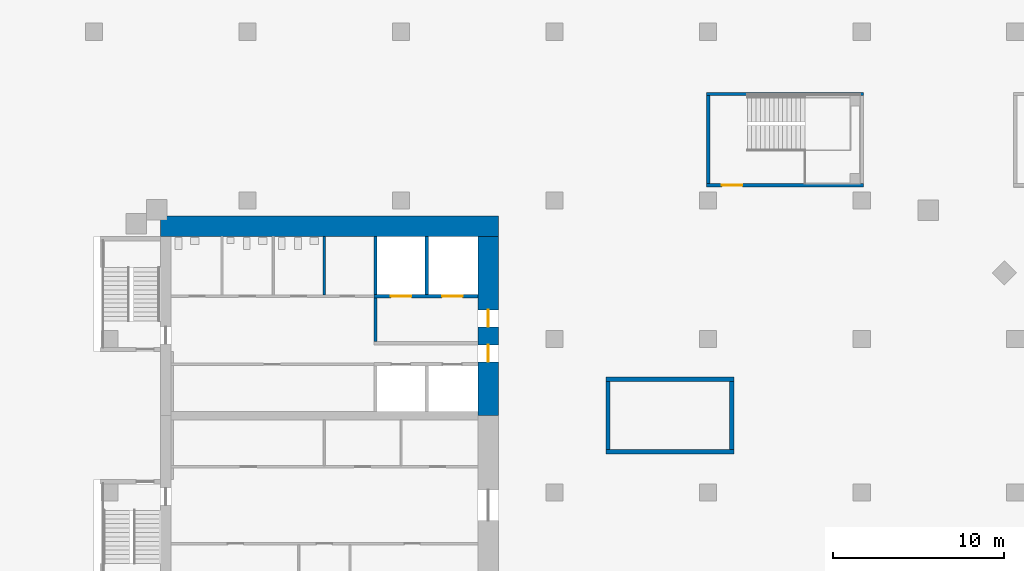
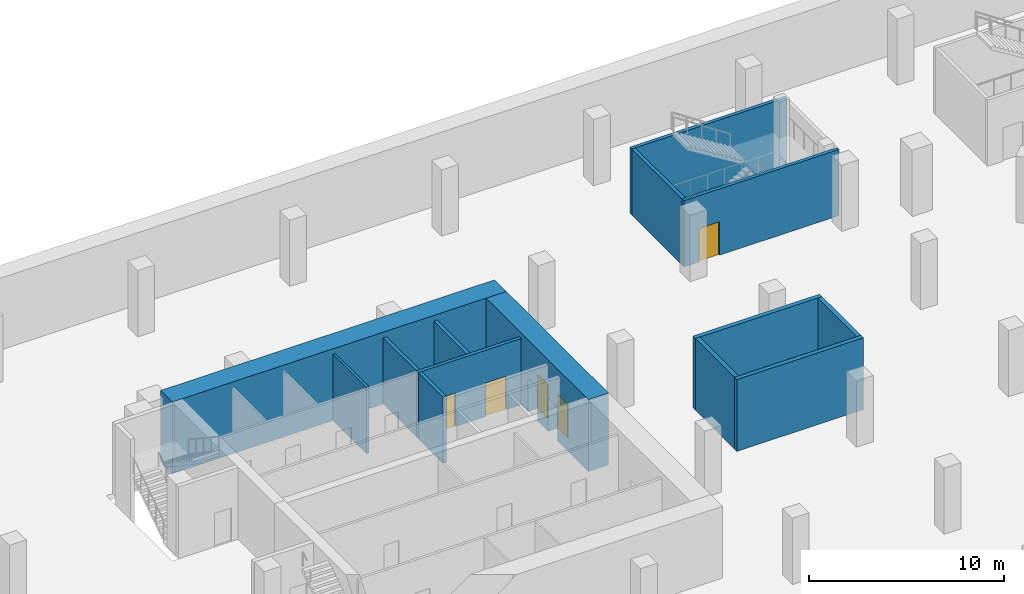
# One storey, part 8 of 16: 14 walls, 5 doors, 5 openings.
"""IFC4 building model written with IfcOpenShell, lengths in metres."""

from ifc_helpers import new_model, si_unit, direction, frame, frame_2d, origin, place, context, subcontext, project, spatial, rectangle, extrude, material, layer, layer_set, type_object, element, fill, save


model = new_model("IFC4")

# Units and contexts
model_context = context("Model", 3, precision=1e-05, world=origin(), true_north=direction((0.0, 1.0)))
body_context = subcontext(model_context, "Body", "Model", "MODEL_VIEW")
ifc_project = project(units=[si_unit("LENGTHUNIT", "METRE"), si_unit("AREAUNIT", "SQUARE_METRE"), si_unit("VOLUMEUNIT", "CUBIC_METRE"), si_unit("PLANEANGLEUNIT", "RADIAN"), si_unit("MASSUNIT", "GRAM", prefix="KILO")], contexts=[model_context])

# Site, building, storey
site_placement = place(None, origin())
site = spatial("IfcSite", under=ifc_project, at=site_placement, CompositionType="ELEMENT")
building_placement = place(site_placement, origin())
building = spatial("IfcBuilding", under=site, at=building_placement, Name="Cinnabar Reach Civic Tower", CompositionType="ELEMENT")
storey_placement = place(building_placement, frame((0.0, 0.0, -9.5)))
storey = spatial("IfcBuildingStorey", under=building, at=storey_placement, Name="B2", CompositionType="ELEMENT", Elevation=-9.5)

# Wall
ifc_material_1 = material(Name="Concrete C70", Category="concrete")
ifc_layer_1 = layer(ifc_material_1, 1.2)
ifc_layer_set_1 = layer_set([ifc_layer_1], Name="Core wall 1200 EI 180")
wall_type_1 = type_object("IfcWallType", Name="Core wall 1200 EI 180", PredefinedType="SOLIDWALL", material=ifc_layer_set_1)
wall_1_placement = place(storey_placement, frame((23.7, 42.6, 0.0), z_axis=(0.0, 0.0, 1.0), x_axis=(-1.0, 0.0, 0.0)))
element("IfcWall", 1, at=wall_1_placement, inside=storey, type_object=wall_type_1, Name="Core wall T1 B2 N", PredefinedType="SOLIDWALL", context=body_context, shape_type="SweptSolid", body=[
    extrude(rectangle(XDim=19.8, YDim=1.2, at=frame_2d((9.9, 0.0))), origin(), (0.0, 0.0, 1.0), 4.5),
])

# Wall, openings, doors
wall_2_placement = place(storey_placement, frame((23.1, 31.5, 0.0), z_axis=(0.0, 0.0, 1.0), x_axis=(0.0, 1.0, 0.0)))
wall_2 = element("IfcWall", 2, at=wall_2_placement, inside=storey, type_object=wall_type_1, Name="Core wall T1 B2 E2", PredefinedType="SOLIDWALL", context=body_context, shape_type="SweptSolid", body=[
    extrude(rectangle(XDim=10.5, YDim=1.2, at=frame_2d((5.25, 0.0))), origin(), (0.0, 0.0, 1.0), 4.5),
])
opening_1_placement = place(wall_2_placement, frame((3.15, 0.0, 0.0)))
opening_1 = element("IfcOpeningElement", 3, at=opening_1_placement, cuts=wall_2, Name="Opening D3027", PredefinedType="OPENING", context=body_context, shape_type="SweptSolid", body=[
    extrude(rectangle(XDim=1.0, YDim=2.1, at=frame_2d((0.5, 1.05))), frame((0.0, 0.61, 0.0), z_axis=(0.0, -1.0, 0.0), x_axis=(1.0, 0.0, 0.0)), (0.0, 0.0, 1.0), 1.22),
])
opening_2_placement = place(wall_2_placement, frame((5.2, 0.0, 0.0)))
opening_2 = element("IfcOpeningElement", 4, at=opening_2_placement, cuts=wall_2, Name="Opening D3028", PredefinedType="OPENING", context=body_context, shape_type="SweptSolid", body=[
    extrude(rectangle(XDim=1.0, YDim=2.1, at=frame_2d((0.5, 1.05))), frame((0.0, 0.61, 0.0), z_axis=(0.0, -1.0, 0.0), x_axis=(1.0, 0.0, 0.0)), (0.0, 0.0, 1.0), 1.22),
])
ifc_material_2 = material(Name="Timber door leaf in steel frame", Category="steel")
door_type_1 = type_object("IfcDoorType", Name="Firefighting lobby door 1000 x 2100 T1", OperationType="SINGLE_SWING_LEFT", PredefinedType="DOOR", material=ifc_material_2)
door_1_placement = place(opening_2_placement, frame((1.0, 0.0, 0.0), z_axis=(0.0, 0.0, 1.0), x_axis=(-1.0, 0.0, 0.0)))
door_1 = element("IfcDoor", 5, at=door_1_placement, inside=storey, type_object=door_type_1, Name="Door D3028", OperationType="SINGLE_SWING_RIGHT", OverallHeight=2.1, OverallWidth=1.0, PredefinedType="DOOR", context=body_context, shape_type="SweptSolid", body=[
    extrude(rectangle(XDim=1.0, YDim=2.1, at=frame_2d((0.5, 1.05))), frame((0.0, 0.025, 0.0), z_axis=(0.0, -1.0, 0.0), x_axis=(1.0, 0.0, 0.0)), (0.0, 0.0, 1.0), 0.05),
])
fill(opening_2, door_1)
door_type_2 = type_object("IfcDoorType", Name="Single swing door 1000 x 2100 T1", OperationType="SINGLE_SWING_LEFT", PredefinedType="DOOR", material=ifc_material_2)
door_2_placement = place(opening_1_placement, frame((1.0, 0.0, 0.0), z_axis=(0.0, 0.0, 1.0), x_axis=(-1.0, 0.0, 0.0)))
door_2 = element("IfcDoor", 6, at=door_2_placement, inside=storey, type_object=door_type_2, Name="Door D3027", OperationType="SINGLE_SWING_LEFT", OverallHeight=2.1, OverallWidth=1.0, PredefinedType="DOOR", context=body_context, shape_type="SweptSolid", body=[
    extrude(rectangle(XDim=1.0, YDim=2.1, at=frame_2d((0.5, 1.05))), frame((0.0, 0.025, 0.0), z_axis=(0.0, -1.0, 0.0), x_axis=(1.0, 0.0, 0.0)), (0.0, 0.0, 1.0), 0.05),
])
fill(opening_1, door_2)

# Walls
ifc_material_3 = material(Name="Blockwork", Category="masonry")
ifc_layer_2 = layer(ifc_material_3, 0.2)
ifc_layer_set_2 = layer_set([ifc_layer_2], Name="Lift shaft wall 200 T1")
wall_type_2 = type_object("IfcWallType", Name="Lift shaft wall 200 T1", PredefinedType="PARTITIONING", material=ifc_layer_set_2)
for number, where, z_axis, x_axis, name in (
    (7, (16.5, 38.6, 0.0), (0.0, 0.0, 1.0), (0.0, 1.0, 0.0), "Lift shaft wall 5"),
    (8, (19.5, 38.6, 0.0), (0.0, 0.0, 1.0), (0.0, 1.0, 0.0), "Lift shaft wall 6"),
):
    element("IfcWall", number, at=place(storey_placement, frame(where, z_axis=z_axis, x_axis=x_axis)), inside=storey, type_object=wall_type_2, Name=name, PredefinedType="PARTITIONING", context=body_context, shape_type="SweptSolid", body=[
        extrude(rectangle(XDim=3.4, YDim=0.2, at=frame_2d((1.7, 0.0))), origin(), (0.0, 0.0, 1.0), 4.15),
    ])
ifc_material_4 = material(Name="Concrete C40", Category="concrete")
ifc_layer_3 = layer(ifc_material_4, 0.2)
ifc_layer_set_3 = layer_set([ifc_layer_3], Name="Podium stair shaft wall 200 EI 120")
wall_type_3 = type_object("IfcWallType", Name="Podium stair shaft wall 200 EI 120", PredefinedType="SOLIDWALL", material=ifc_layer_set_3)
wall_3_placement = place(storey_placement, frame((35.9, 50.35, 0.0), z_axis=(0.0, 0.0, 1.0), x_axis=(1.0, 0.0, 0.0)))
element("IfcWall", 9, at=wall_3_placement, inside=storey, type_object=wall_type_3, Name="Wall B2 21", PredefinedType="SOLIDWALL", context=body_context, shape_type="SweptSolid", body=[
    extrude(rectangle(XDim=9.2, YDim=0.2, at=frame_2d((4.6, 0.0))), origin(), (0.0, 0.0, 1.0), 4.15),
])

# Wall, opening, door
wall_4_placement = place(storey_placement, frame((35.9, 45.0, 0.0), z_axis=(0.0, 0.0, 1.0), x_axis=(1.0, 0.0, 0.0)))
wall_4 = element("IfcWall", 10, at=wall_4_placement, inside=storey, type_object=wall_type_3, Name="Wall B2 23", PredefinedType="SOLIDWALL", context=body_context, shape_type="SweptSolid", body=[
    extrude(rectangle(XDim=9.2, YDim=0.2, at=frame_2d((4.6, 0.0))), origin(), (0.0, 0.0, 1.0), 4.15),
])
opening_3_placement = place(wall_4_placement, frame((0.9, 0.0, 0.0)))
opening_3 = element("IfcOpeningElement", 11, at=opening_3_placement, cuts=wall_4, Name="Opening D1309", PredefinedType="OPENING", context=body_context, shape_type="SweptSolid", body=[
    extrude(rectangle(XDim=1.2, YDim=2.1, at=frame_2d((0.6, 1.05))), frame((0.0, 0.11, 0.0), z_axis=(0.0, -1.0, 0.0), x_axis=(1.0, 0.0, 0.0)), (0.0, 0.0, 1.0), 0.22),
])
ifc_material_5 = material(Name="Painted steel door leaf", Category="steel")
door_type_3 = type_object("IfcDoorType", Name="Podium single door 1200x2100", OperationType="SINGLE_SWING_LEFT", PredefinedType="DOOR", material=ifc_material_5)
door_3_placement = place(opening_3_placement, origin())
door_3 = element("IfcDoor", 12, at=door_3_placement, inside=storey, type_object=door_type_3, Name="Door D1309", OperationType="SINGLE_SWING_RIGHT", OverallHeight=2.1, OverallWidth=1.2, PredefinedType="DOOR", context=body_context, shape_type="SweptSolid", body=[
    extrude(rectangle(XDim=1.2, YDim=2.1, at=frame_2d((0.6, 1.05))), frame((0.0, 0.025, 0.0), z_axis=(0.0, -1.0, 0.0), x_axis=(1.0, 0.0, 0.0)), (0.0, 0.0, 1.0), 0.05),
])
fill(opening_3, door_3)

# Wall
wall_5_placement = place(storey_placement, frame((36.0, 45.1, 0.0), z_axis=(0.0, 0.0, 1.0), x_axis=(0.0, 1.0, 0.0)))
element("IfcWall", 13, at=wall_5_placement, inside=storey, type_object=wall_type_3, Name="Wall B2 24", PredefinedType="SOLIDWALL", context=body_context, shape_type="SweptSolid", body=[
    extrude(rectangle(XDim=5.15, YDim=0.2, at=frame_2d((2.575, 0.0))), origin(), (0.0, 0.0, 1.0), 4.15),
])

# Wall, openings, doors
ifc_layer_4 = layer(ifc_material_4, 0.2)
ifc_layer_set_4 = layer_set([ifc_layer_4], Name="Refuge compartment wall 200 T1")
wall_type_4 = type_object("IfcWallType", Name="Refuge compartment wall 200 T1", PredefinedType="PARTITIONING", material=ifc_layer_set_4)
wall_6_placement = place(storey_placement, frame((16.4, 38.5, 0.0), z_axis=(0.0, 0.0, 1.0), x_axis=(1.0, 0.0, 0.0)))
wall_6 = element("IfcWall", 14, at=wall_6_placement, inside=storey, type_object=wall_type_4, Name="Refuge compartment wall 2", PredefinedType="PARTITIONING", context=body_context, shape_type="SweptSolid", body=[
    extrude(rectangle(XDim=6.1, YDim=0.2, at=frame_2d((3.05, 0.0))), origin(), (0.0, 0.0, 1.0), 4.15),
])
opening_4_placement = place(wall_6_placement, frame((1.0, 0.0, 0.0)))
opening_4 = element("IfcOpeningElement", 15, at=opening_4_placement, cuts=wall_6, Name="Opening D3024", PredefinedType="OPENING", context=body_context, shape_type="SweptSolid", body=[
    extrude(rectangle(XDim=1.2, YDim=2.1, at=frame_2d((0.6, 1.05))), frame((0.0, 0.11, 0.0), z_axis=(0.0, -1.0, 0.0), x_axis=(1.0, 0.0, 0.0)), (0.0, 0.0, 1.0), 0.22),
])
opening_5_placement = place(wall_6_placement, frame((4.0, 0.0, 0.0)))
opening_5 = element("IfcOpeningElement", 16, at=opening_5_placement, cuts=wall_6, Name="Opening D3025", PredefinedType="OPENING", context=body_context, shape_type="SweptSolid", body=[
    extrude(rectangle(XDim=1.2, YDim=2.1, at=frame_2d((0.6, 1.05))), frame((0.0, 0.11, 0.0), z_axis=(0.0, -1.0, 0.0), x_axis=(1.0, 0.0, 0.0)), (0.0, 0.0, 1.0), 0.22),
])
ifc_material_6 = material(Name="Stainless steel sliding door", Category="steel")
door_type_4 = type_object("IfcDoorType", Name="Firefighting lift landing door 1200 x 2100 T1", OperationType="SLIDING_TO_LEFT", PredefinedType="DOOR", material=ifc_material_6)
door_4_placement = place(opening_4_placement, origin())
door_4 = element("IfcDoor", 17, at=door_4_placement, inside=storey, type_object=door_type_4, Name="Lift landing door FF1 B2", OperationType="SLIDING_TO_LEFT", OverallHeight=2.1, OverallWidth=1.2, PredefinedType="DOOR", context=body_context, shape_type="SweptSolid", body=[
    extrude(rectangle(XDim=1.2, YDim=2.1, at=frame_2d((0.6, 1.05))), frame((0.0, 0.025, 0.0), z_axis=(0.0, -1.0, 0.0), x_axis=(1.0, 0.0, 0.0)), (0.0, 0.0, 1.0), 0.05),
])
fill(opening_4, door_4)
door_5_placement = place(opening_5_placement, origin())
door_5 = element("IfcDoor", 18, at=door_5_placement, inside=storey, type_object=door_type_4, Name="Lift landing door FF2 B2", OperationType="SLIDING_TO_LEFT", OverallHeight=2.1, OverallWidth=1.2, PredefinedType="DOOR", context=body_context, shape_type="SweptSolid", body=[
    extrude(rectangle(XDim=1.2, YDim=2.1, at=frame_2d((0.6, 1.05))), frame((0.0, 0.025, 0.0), z_axis=(0.0, -1.0, 0.0), x_axis=(1.0, 0.0, 0.0)), (0.0, 0.0, 1.0), 0.05),
])
fill(opening_5, door_5)

# Walls
wall_7_placement = place(storey_placement, frame((16.5, 35.85, 0.0), z_axis=(0.0, 0.0, 1.0), x_axis=(0.0, 1.0, 0.0)))
element("IfcWall", 19, at=wall_7_placement, inside=storey, type_object=wall_type_4, Name="Refuge compartment wall 3", PredefinedType="PARTITIONING", context=body_context, shape_type="SweptSolid", body=[
    extrude(rectangle(XDim=2.55, YDim=0.2, at=frame_2d((1.275, 0.0))), origin(), (0.0, 0.0, 1.0), 4.15),
])
ifc_layer_5 = layer(ifc_material_3, 0.15)
ifc_layer_set_5 = layer_set([ifc_layer_5], Name="Riser wall 150 T1")
wall_type_5 = type_object("IfcWallType", Name="Riser wall 150 T1", PredefinedType="PARTITIONING", material=ifc_layer_set_5)
wall_8_placement = place(storey_placement, frame((13.5, 38.575, 0.0), z_axis=(0.0, 0.0, 1.0), x_axis=(0.0, 1.0, 0.0)))
element("IfcWall", 20, at=wall_8_placement, inside=storey, type_object=wall_type_5, Name="Riser wall 17", PredefinedType="PARTITIONING", context=body_context, shape_type="SweptSolid", body=[
    extrude(rectangle(XDim=3.425, YDim=0.15, at=frame_2d((1.7125, 0.0))), origin(), (0.0, 0.0, 1.0), 4.15),
])
ifc_material_7 = material(Name="Concrete C60", Category="concrete")
ifc_layer_6 = layer(ifc_material_7, 0.25)
ifc_layer_set_6 = layer_set([ifc_layer_6], Name="Stair shaft wall 250 EI 120")
wall_type_6 = type_object("IfcWallType", Name="Stair shaft wall 250 EI 120", PredefinedType="SOLIDWALL", material=ifc_layer_set_6)
for number, where, z_axis, x_axis, name in (
    (21, (30.0, 29.375, 0.0), (0.0, 0.0, 1.0), (1.0, 0.0, 0.0), "Stair shaft wall T1-S3 B2"),
    (22, (37.5, 33.625, 0.0), (0.0, 0.0, 1.0), (-1.0, 0.0, 0.0), "Stair shaft wall T1-S3 B2"),
):
    element("IfcWall", number, at=place(storey_placement, frame(where, z_axis=z_axis, x_axis=x_axis)), inside=storey, type_object=wall_type_6, Name=name, PredefinedType="SOLIDWALL", context=body_context, shape_type="SweptSolid", body=[
        extrude(rectangle(XDim=7.5, YDim=0.25, at=frame_2d((3.75, 0.0))), origin(), (0.0, 0.0, 1.0), 4.5),
    ])
for number, where, z_axis, x_axis, name in (
    (23, (37.375, 29.5, 0.0), (0.0, 0.0, 1.0), (0.0, 1.0, 0.0), "Stair shaft wall T1-S3 B2"),
    (24, (30.125, 33.5, 0.0), (0.0, 0.0, 1.0), (0.0, -1.0, 0.0), "Stair shaft wall T1-S3 B2"),
):
    element("IfcWall", number, at=place(storey_placement, frame(where, z_axis=z_axis, x_axis=x_axis)), inside=storey, type_object=wall_type_6, Name=name, PredefinedType="SOLIDWALL", context=body_context, shape_type="SweptSolid", body=[
        extrude(rectangle(XDim=4.0, YDim=0.25, at=frame_2d((2.0, 0.0))), origin(), (0.0, 0.0, 1.0), 4.5),
    ])

save(model, "model.ifc")
